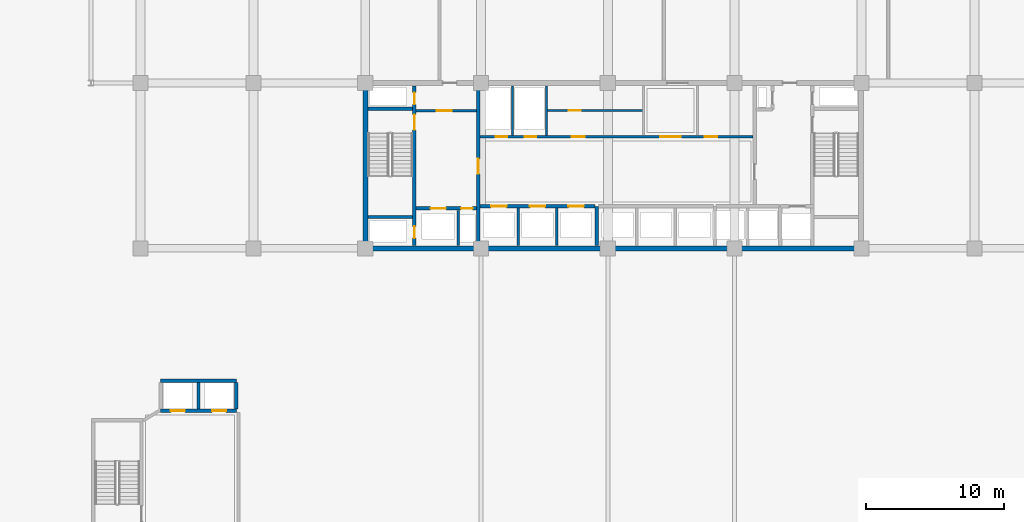
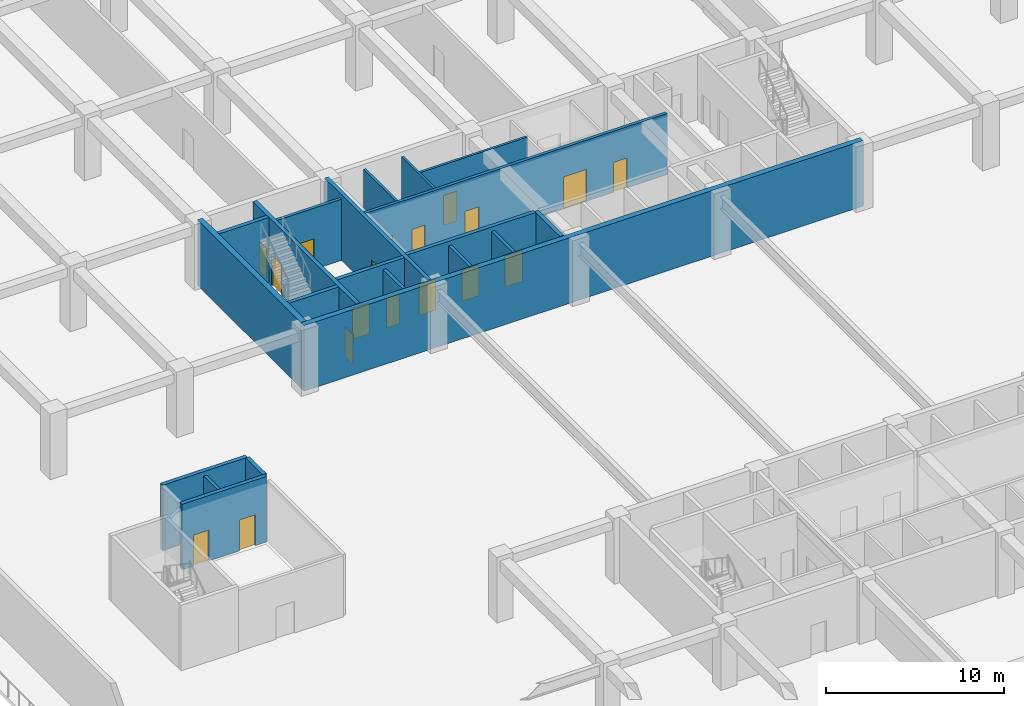
# One storey, part 24 of 43: 21 walls, 18 doors, 18 openings.
"""IFC4 building model written with IfcOpenShell, lengths in metres."""

from ifc_helpers import new_model, si_unit, direction, frame, frame_2d, origin, place, context, subcontext, project, spatial, rectangle, extrude, material, layer, layer_set, type_object, element, fill, save


model = new_model("IFC4")

# Units and contexts
model_context = context("Model", 3, precision=1e-05, world=origin(), true_north=direction((0.0, 1.0)))
body_context = subcontext(model_context, "Body", "Model", "MODEL_VIEW")
ifc_project = project(units=[si_unit("LENGTHUNIT", "METRE"), si_unit("AREAUNIT", "SQUARE_METRE"), si_unit("VOLUMEUNIT", "CUBIC_METRE"), si_unit("PLANEANGLEUNIT", "RADIAN"), si_unit("MASSUNIT", "GRAM", prefix="KILO")], contexts=[model_context])

# Site, building, storey
site_placement = place(None, origin())
site = spatial("IfcSite", under=ifc_project, at=site_placement, CompositionType="ELEMENT")
building_placement = place(site_placement, origin())
building = spatial("IfcBuilding", under=site, at=building_placement, Name="Korimba Cascade Residences", CompositionType="ELEMENT")
storey_placement = place(building_placement, frame((0.0, 0.0, 10.0)))
storey = spatial("IfcBuildingStorey", under=building, at=storey_placement, Name="L02", CompositionType="ELEMENT", Elevation=10.0)

# Walls
ifc_material_1 = material(Name="Concrete C65/80", Category="concrete")
ifc_layer_1 = layer(ifc_material_1, 0.35009765625)
ifc_layer_set_1 = layer_set([ifc_layer_1], Name="Concrete C65/80")
wall_type_1 = type_object("IfcWallType", Name="WAL-CORE-350", PredefinedType="SHEAR", material=ifc_layer_set_1)
wall_1_placement = place(storey_placement, frame((75.949951171875, 55.199951171875, 0.0), z_axis=(0.0, 0.0, 1.0), x_axis=(1.0, 0.0, 0.0)))
element("IfcWall", 1, at=wall_1_placement, inside=storey, type_object=wall_type_1, Name="L02 Core Shear Wall CW-L02-T1-S", PredefinedType="SHEAR", context=body_context, shape_type="SweptSolid", body=[
    extrude(rectangle(XDim=36.300048828125, YDim=0.35009765625, at=frame_2d((18.14990234375, 0.0))), origin(), (0.0, 0.0, 1.0), 4.5),
])
wall_2_placement = place(storey_placement, frame((76.125, 55.375, 0.0), z_axis=(0.0, 0.0, 1.0), x_axis=(0.0, 1.0, 0.0)))
element("IfcWall", 2, at=wall_2_placement, inside=storey, type_object=wall_type_1, Name="L02 Core Shear Wall CW-L02-T1-W", PredefinedType="SHEAR", context=body_context, shape_type="SweptSolid", body=[
    extrude(rectangle(XDim=11.64990234375, YDim=0.35009765625, at=frame_2d((5.824951171875, 0.0))), origin(), (0.0, 0.0, 1.0), 4.5),
])
ifc_material_2 = material(Name="Insulated Acoustic Stud Partition", Category="gypsum")
ifc_layer_2 = layer(ifc_material_2, 0.14990234375)
ifc_layer_set_2 = layer_set([ifc_layer_2], Name="Insulated Acoustic Stud Partition")
wall_type_2 = type_object("IfcWallType", Name="WAL-PART-150", PredefinedType="PARTITIONING", material=ifc_layer_set_2)
for number, where, z_axis, x_axis, name in (
    (3, (86.800048828125, 63.39990234375, 0.0), (0.0, 0.0, 1.0), (0.0, 1.0, 0.0), "L02 Partition Wall CW-L02-T1-ERDIV"),
    (4, (89.25, 63.39990234375, 0.0), (0.0, 0.0, 1.0), (0.0, 1.0, 0.0), "L02 Partition Wall CW-L02-T1-PRDIV"),
):
    element("IfcWall", number, at=place(storey_placement, frame(where, z_axis=z_axis, x_axis=x_axis)), inside=storey, type_object=wall_type_2, Name=name, PredefinedType="PARTITIONING", context=body_context, shape_type="SweptSolid", body=[
        extrude(rectangle(XDim=3.60009765625, YDim=0.14990234375, at=frame_2d((1.800048828125, 0.0))), origin(), (0.0, 0.0, 1.0), 4.199951171875),
    ])

# Wall, opening, door
wall_3_placement = place(storey_placement, frame((89.25, 65.199951171875, 0.0), z_axis=(0.0, 0.0, 1.0), x_axis=(1.0, 0.0, 0.0)))
wall_3 = element("IfcWall", 5, at=wall_3_placement, inside=storey, type_object=wall_type_2, Name="L02 Partition Wall CW-L02-T1-CA2HZ", PredefinedType="PARTITIONING", context=body_context, shape_type="SweptSolid", body=[
    extrude(rectangle(XDim=7.050048828125, YDim=0.14990234375, at=frame_2d((3.52490234375, 0.0))), origin(), (0.0, 0.0, 1.0), 4.199951171875),
])
opening_1_placement = place(wall_3_placement, frame((1.60009765625, 0.0, 0.0)))
opening_1 = element("IfcOpeningElement", 6, at=opening_1_placement, cuts=wall_3, Name="Opening D-IN2", PredefinedType="OPENING", context=body_context, shape_type="SweptSolid", body=[
    extrude(rectangle(XDim=0.8798828125, YDim=2.06005859375, at=frame_2d((0.43994140625, 1.030029296875))), frame((0.0, 0.0849609375, 0.0), z_axis=(0.0, -1.0, 0.0), x_axis=(1.0, 0.0, 0.0)), (0.0, 0.0, 1.0), 0.169921875),
])
ifc_material_3 = material(Name="Acoustic Timber Bedroom Door", Category="wood")
door_type_1 = type_object("IfcDoorType", Name="DR-INT-880", OperationType="NOTDEFINED", PredefinedType="DOOR", material=ifc_material_3)
door_1_placement = place(opening_1_placement, origin())
door_1 = element("IfcDoor", 7, at=door_1_placement, inside=storey, type_object=door_type_1, Name="L02 Pram Store Door", OperationType="SINGLE_SWING_RIGHT", OverallHeight=2.06005859375, OverallWidth=0.8798828125, PredefinedType="DOOR", context=body_context, shape_type="SweptSolid", body=[
    extrude(rectangle(XDim=0.8798828125, YDim=2.06005859375, at=frame_2d((0.43994140625, 1.030029296875))), frame((0.0, 0.02490234375, 0.0), z_axis=(0.0, -1.0, 0.0), x_axis=(1.0, 0.0, 0.0)), (0.0, 0.0, 1.0), 0.050048828125),
])
fill(opening_1, door_1)

# Wall
ifc_material_4 = material(Name="Concrete C40/50", Category="concrete")
ifc_layer_3 = layer(ifc_material_4, 0.199951171875)
ifc_layer_set_3 = layer_set([ifc_layer_3], Name="Concrete C40/50")
wall_type_3 = type_object("IfcWallType", Name="WAL-PART-200", PredefinedType="PARTITIONING", material=ifc_layer_set_3)
wall_4_placement = place(storey_placement, frame((82.85009765625, 55.39990234375, 0.0), z_axis=(0.0, 0.0, 1.0), x_axis=(0.0, 1.0, 0.0)))
element("IfcWall", 8, at=wall_4_placement, inside=storey, type_object=wall_type_3, Name="L02 Partition Wall CW-L02-T1-FFLDIV", PredefinedType="PARTITIONING", context=body_context, shape_type="SweptSolid", body=[
    extrude(rectangle(XDim=2.56005859375, YDim=0.199951171875, at=frame_2d((1.280029296875, 0.0))), origin(), (0.0, 0.0, 1.0), 4.199951171875),
])

# Wall, opening, door
wall_5_placement = place(storey_placement, frame((79.7900390625, 65.179931640625, 0.0), z_axis=(0.0, 0.0, 1.0), x_axis=(1.0, 0.0, 0.0)))
wall_5 = element("IfcWall", 9, at=wall_5_placement, inside=storey, type_object=wall_type_3, Name="L02 Partition Wall CW-L02-T1-FFLN", PredefinedType="PARTITIONING", context=body_context, shape_type="SweptSolid", body=[
    extrude(rectangle(XDim=4.389892578125, YDim=0.199951171875, at=frame_2d((2.19482421875, 0.0))), origin(), (0.0, 0.0, 1.0), 4.199951171875),
])
opening_2_placement = place(wall_5_placement, frame((1.5, 0.0, 0.0)))
opening_2 = element("IfcOpeningElement", 10, at=opening_2_placement, cuts=wall_5, Name="Opening D-FD1", PredefinedType="OPENING", context=body_context, shape_type="SweptSolid", body=[
    extrude(rectangle(XDim=1.10009765625, YDim=2.10009765625, at=frame_2d((0.550048828125, 1.050048828125))), frame((0.0, 0.10986328125, 0.0), z_axis=(0.0, -1.0, 0.0), x_axis=(1.0, 0.0, 0.0)), (0.0, 0.0, 1.0), 0.219970703125),
])
ifc_material_5 = material(Name="Fire-Rated Steel Core Door", Category="steel")
door_type_2 = type_object("IfcDoorType", Name="DR-FD120-1100", OperationType="NOTDEFINED", PredefinedType="DOOR", material=ifc_material_5)
door_2_placement = place(opening_2_placement, origin())
door_2 = element("IfcDoor", 11, at=door_2_placement, inside=storey, type_object=door_type_2, Name="L02 West Firefighting Lobby Door", OperationType="SINGLE_SWING_RIGHT", OverallHeight=2.10009765625, OverallWidth=1.10009765625, PredefinedType="DOOR", context=body_context, shape_type="SweptSolid", body=[
    extrude(rectangle(XDim=1.10009765625, YDim=2.10009765625, at=frame_2d((0.550048828125, 1.050048828125))), frame((0.0, 0.02490234375, 0.0), z_axis=(0.0, -1.0, 0.0), x_axis=(1.0, 0.0, 0.0)), (0.0, 0.0, 1.0), 0.050048828125),
])
fill(opening_2, door_2)

# Walls
for number, where, z_axis, x_axis, name in (
    (12, (87.199951171875, 55.39990234375, 0.0), (0.0, 0.0, 1.0), (0.0, 1.0, 0.0), "L02 Partition Wall CW-L02-T1-B1D1"),
    (13, (90.0, 55.39990234375, 0.0), (0.0, 0.0, 1.0), (0.0, 1.0, 0.0), "L02 Partition Wall CW-L02-T1-B1D2"),
):
    element("IfcWall", number, at=place(storey_placement, frame(where, z_axis=z_axis, x_axis=x_axis)), inside=storey, type_object=wall_type_3, Name=name, PredefinedType="PARTITIONING", context=body_context, shape_type="SweptSolid", body=[
        extrude(rectangle(XDim=2.72021484375, YDim=0.199951171875, at=frame_2d((1.360107421875, 0.0))), origin(), (0.0, 0.0, 1.0), 4.199951171875),
    ])

# Wall, openings, doors
wall_6_placement = place(storey_placement, frame((84.419921875, 63.300048828125, 0.0), z_axis=(0.0, 0.0, 1.0), x_axis=(1.0, 0.0, 0.0)))
wall_6 = element("IfcWall", 14, at=wall_6_placement, inside=storey, type_object=wall_type_3, Name="L02 Partition Wall CW-L02-T1-SRVROW", PredefinedType="PARTITIONING", context=body_context, shape_type="SweptSolid", body=[
    extrude(rectangle(XDim=19.830078125, YDim=0.199951171875, at=frame_2d((9.9150390625, 0.0))), origin(), (0.0, 0.0, 1.0), 4.199951171875),
])
opening_3_placement = place(wall_6_placement, frame((1.14990234375, 0.0, 0.0)))
opening_3 = element("IfcOpeningElement", 15, at=opening_3_placement, cuts=wall_6, Name="Opening D-RS1", PredefinedType="OPENING", context=body_context, shape_type="SweptSolid", body=[
    extrude(rectangle(XDim=0.85009765625, YDim=2.050048828125, at=frame_2d((0.425048828125, 1.02490234375))), frame((0.0, 0.10986328125, 0.0), z_axis=(0.0, -1.0, 0.0), x_axis=(1.0, 0.0, 0.0)), (0.0, 0.0, 1.0), 0.219970703125),
])
opening_4_placement = place(wall_6_placement, frame((3.25, 0.0, 0.0)))
opening_4 = element("IfcOpeningElement", 16, at=opening_4_placement, cuts=wall_6, Name="Opening D-RS1", PredefinedType="OPENING", context=body_context, shape_type="SweptSolid", body=[
    extrude(rectangle(XDim=0.85009765625, YDim=2.050048828125, at=frame_2d((0.425048828125, 1.02490234375))), frame((0.0, 0.10986328125, 0.0), z_axis=(0.0, -1.0, 0.0), x_axis=(1.0, 0.0, 0.0)), (0.0, 0.0, 1.0), 0.219970703125),
])
opening_5_placement = place(wall_6_placement, frame((13.080078125, 0.0, 0.0)))
opening_5 = element("IfcOpeningElement", 17, at=opening_5_placement, cuts=wall_6, Name="Opening D-FD8", PredefinedType="OPENING", context=body_context, shape_type="SweptSolid", body=[
    extrude(rectangle(XDim=1.5, YDim=2.199951171875, at=frame_2d((0.75, 1.10009765625))), frame((0.0, 0.10986328125, 0.0), z_axis=(0.0, -1.0, 0.0), x_axis=(1.0, 0.0, 0.0)), (0.0, 0.0, 1.0), 0.219970703125),
])
opening_6_placement = place(wall_6_placement, frame((6.679931640625, 0.0, 0.0)))
opening_6 = element("IfcOpeningElement", 18, at=opening_6_placement, cuts=wall_6, Name="Opening D-IN1", PredefinedType="OPENING", context=body_context, shape_type="SweptSolid", body=[
    extrude(rectangle(XDim=0.919921875, YDim=2.080078125, at=frame_2d((0.4599609375, 1.0400390625))), frame((0.0, 0.10986328125, 0.0), z_axis=(0.0, -1.0, 0.0), x_axis=(1.0, 0.0, 0.0)), (0.0, 0.0, 1.0), 0.219970703125),
])
opening_7_placement = place(wall_6_placement, frame((16.330078125, 0.0, 0.0)))
opening_7 = element("IfcOpeningElement", 19, at=opening_7_placement, cuts=wall_6, Name="Opening D-IN2", PredefinedType="OPENING", context=body_context, shape_type="SweptSolid", body=[
    extrude(rectangle(XDim=0.8798828125, YDim=2.06005859375, at=frame_2d((0.43994140625, 1.030029296875))), frame((0.0, 0.10986328125, 0.0), z_axis=(0.0, -1.0, 0.0), x_axis=(1.0, 0.0, 0.0)), (0.0, 0.0, 1.0), 0.219970703125),
])
ifc_material_6 = material(Name="Fire-Rated Steel Riser Access Door", Category="steel")
door_type_3 = type_object("IfcDoorType", Name="DR-FD60-850", OperationType="NOTDEFINED", PredefinedType="DOOR", material=ifc_material_6)
door_3_placement = place(opening_3_placement, origin())
door_3 = element("IfcDoor", 20, at=door_3_placement, inside=storey, type_object=door_type_3, Name="L02 Electrical Riser Door", OperationType="SINGLE_SWING_LEFT", OverallHeight=2.050048828125, OverallWidth=0.85009765625, PredefinedType="DOOR", context=body_context, shape_type="SweptSolid", body=[
    extrude(rectangle(XDim=0.85009765625, YDim=2.050048828125, at=frame_2d((0.425048828125, 1.02490234375))), frame((0.0, 0.02490234375, 0.0), z_axis=(0.0, -1.0, 0.0), x_axis=(1.0, 0.0, 0.0)), (0.0, 0.0, 1.0), 0.050048828125),
])
fill(opening_3, door_3)
door_4_placement = place(opening_4_placement, origin())
door_4 = element("IfcDoor", 21, at=door_4_placement, inside=storey, type_object=door_type_3, Name="L02 Plumbing Riser Door", OperationType="SINGLE_SWING_RIGHT", OverallHeight=2.050048828125, OverallWidth=0.85009765625, PredefinedType="DOOR", context=body_context, shape_type="SweptSolid", body=[
    extrude(rectangle(XDim=0.85009765625, YDim=2.050048828125, at=frame_2d((0.425048828125, 1.02490234375))), frame((0.0, 0.02490234375, 0.0), z_axis=(0.0, -1.0, 0.0), x_axis=(1.0, 0.0, 0.0)), (0.0, 0.0, 1.0), 0.050048828125),
])
fill(opening_4, door_4)
ifc_material_7 = material(Name="Fire-Rated Glazed Lift Lobby Double Door", Category="glass")
door_type_4 = type_object("IfcDoorType", Name="DR-FD90-1500", OperationType="NOTDEFINED", PredefinedType="DOOR", material=ifc_material_7)
door_5_placement = place(opening_5_placement, origin())
door_5 = element("IfcDoor", 22, at=door_5_placement, inside=storey, type_object=door_type_4, Name="L02 Lift Lobby Foyer Archway Door", OperationType="DOUBLE_DOOR_SINGLE_SWING", OverallHeight=2.199951171875, OverallWidth=1.5, PredefinedType="DOOR", context=body_context, shape_type="SweptSolid", body=[
    extrude(rectangle(XDim=1.5, YDim=2.199951171875, at=frame_2d((0.75, 1.10009765625))), frame((0.0, 0.02490234375, 0.0), z_axis=(0.0, -1.0, 0.0), x_axis=(1.0, 0.0, 0.0)), (0.0, 0.0, 1.0), 0.050048828125),
])
fill(opening_5, door_5)
door_6_placement = place(opening_7_placement, origin())
door_6 = element("IfcDoor", 23, at=door_6_placement, inside=storey, type_object=door_type_1, Name="L02 Staff WC Door", OperationType="SINGLE_SWING_RIGHT", OverallHeight=2.06005859375, OverallWidth=0.8798828125, PredefinedType="DOOR", context=body_context, shape_type="SweptSolid", body=[
    extrude(rectangle(XDim=0.8798828125, YDim=2.06005859375, at=frame_2d((0.43994140625, 1.030029296875))), frame((0.0, 0.02490234375, 0.0), z_axis=(0.0, -1.0, 0.0), x_axis=(1.0, 0.0, 0.0)), (0.0, 0.0, 1.0), 0.050048828125),
])
fill(opening_7, door_6)
ifc_material_8 = material(Name="Acoustic Timber Living Door", Category="wood")
door_type_5 = type_object("IfcDoorType", Name="DR-INT-920", OperationType="NOTDEFINED", PredefinedType="DOOR", material=ifc_material_8)
door_7_placement = place(opening_6_placement, origin())
door_7 = element("IfcDoor", 24, at=door_7_placement, inside=storey, type_object=door_type_5, Name="L02 Locker Room Door", OperationType="SINGLE_SWING_LEFT", OverallHeight=2.080078125, OverallWidth=0.919921875, PredefinedType="DOOR", context=body_context, shape_type="SweptSolid", body=[
    extrude(rectangle(XDim=0.919921875, YDim=2.080078125, at=frame_2d((0.4599609375, 1.0400390625))), frame((0.0, 0.02490234375, 0.0), z_axis=(0.0, -1.0, 0.0), x_axis=(1.0, 0.0, 0.0)), (0.0, 0.0, 1.0), 0.050048828125),
])
fill(opening_6, door_7)

# Wall
wall_7_placement = place(storey_placement, frame((64.0, 43.550048828125, 0.0), z_axis=(0.0, 0.0, 1.0), x_axis=(0.0, 1.0, 0.0)))
element("IfcWall", 25, at=wall_7_placement, inside=storey, type_object=wall_type_3, Name="L02 Partition Wall CW-L02-SHPM", PredefinedType="PARTITIONING", context=body_context, shape_type="SweptSolid", body=[
    extrude(rectangle(XDim=1.89990234375, YDim=0.199951171875, at=frame_2d((0.949951171875, 0.0))), origin(), (0.0, 0.0, 1.0), 4.199951171875),
])

# Wall, openings, doors
ifc_material_9 = material(Name="Concrete C50/60", Category="concrete")
ifc_layer_4 = layer(ifc_material_9, 0.25)
ifc_layer_set_4 = layer_set([ifc_layer_4], Name="Concrete C50/60")
wall_type_4 = type_object("IfcWallType", Name="WAL-SHAFT-250", PredefinedType="SHEAR", material=ifc_layer_set_4)
wall_8_placement = place(storey_placement, frame((79.6650390625, 55.39990234375, 0.0), z_axis=(0.0, 0.0, 1.0), x_axis=(0.0, 1.0, 0.0)))
wall_8 = element("IfcWall", 26, at=wall_8_placement, inside=storey, type_object=wall_type_4, Name="L02 Core Shear Wall CW-L02-T1-STW1E", PredefinedType="SHEAR", context=body_context, shape_type="SweptSolid", body=[
    extrude(rectangle(XDim=11.60009765625, YDim=0.25, at=frame_2d((5.800048828125, 0.0))), origin(), (0.0, 0.0, 1.0), 4.5),
])
opening_8_placement = place(wall_8_placement, frame((0.550048828125, 0.0, 0.0)))
opening_8 = element("IfcOpeningElement", 27, at=opening_8_placement, cuts=wall_8, Name="Opening D-RS1", PredefinedType="OPENING", context=body_context, shape_type="SweptSolid", body=[
    extrude(rectangle(XDim=0.85009765625, YDim=2.050048828125, at=frame_2d((0.425048828125, 1.02490234375))), frame((0.0, 0.135009765625, 0.0), z_axis=(0.0, -1.0, 0.0), x_axis=(1.0, 0.0, 0.0)), (0.0, 0.0, 1.0), 0.27001953125),
])
opening_9_placement = place(wall_8_placement, frame((8.39990234375, 0.0, 0.0)))
opening_9 = element("IfcOpeningElement", 28, at=opening_9_placement, cuts=wall_8, Name="Opening D-FD1", PredefinedType="OPENING", context=body_context, shape_type="SweptSolid", body=[
    extrude(rectangle(XDim=1.10009765625, YDim=2.10009765625, at=frame_2d((0.550048828125, 1.050048828125))), frame((0.0, 0.135009765625, 0.0), z_axis=(0.0, -1.0, 0.0), x_axis=(1.0, 0.0, 0.0)), (0.0, 0.0, 1.0), 0.27001953125),
])
opening_10_placement = place(wall_8_placement, frame((10.25, 0.0, 0.0)))
opening_10 = element("IfcOpeningElement", 29, at=opening_10_placement, cuts=wall_8, Name="Opening D-RS1", PredefinedType="OPENING", context=body_context, shape_type="SweptSolid", body=[
    extrude(rectangle(XDim=0.85009765625, YDim=2.050048828125, at=frame_2d((0.425048828125, 1.02490234375))), frame((0.0, 0.135009765625, 0.0), z_axis=(0.0, -1.0, 0.0), x_axis=(1.0, 0.0, 0.0)), (0.0, 0.0, 1.0), 0.27001953125),
])
door_8_placement = place(opening_9_placement, origin())
door_8 = element("IfcDoor", 30, at=door_8_placement, inside=storey, type_object=door_type_2, Name="L02 Fire Stair ST-W1 Door", OperationType="SINGLE_SWING_LEFT", OverallHeight=2.10009765625, OverallWidth=1.10009765625, PredefinedType="DOOR", context=body_context, shape_type="SweptSolid", body=[
    extrude(rectangle(XDim=1.10009765625, YDim=2.10009765625, at=frame_2d((0.550048828125, 1.050048828125))), frame((0.0, 0.02490234375, 0.0), z_axis=(0.0, -1.0, 0.0), x_axis=(1.0, 0.0, 0.0)), (0.0, 0.0, 1.0), 0.050048828125),
])
fill(opening_9, door_8)
door_9_placement = place(opening_8_placement, origin())
door_9 = element("IfcDoor", 31, at=door_9_placement, inside=storey, type_object=door_type_3, Name="L02 Smoke Riser Access Door", OperationType="SINGLE_SWING_RIGHT", OverallHeight=2.050048828125, OverallWidth=0.85009765625, PredefinedType="DOOR", context=body_context, shape_type="SweptSolid", body=[
    extrude(rectangle(XDim=0.85009765625, YDim=2.050048828125, at=frame_2d((0.425048828125, 1.02490234375))), frame((0.0, 0.02490234375, 0.0), z_axis=(0.0, -1.0, 0.0), x_axis=(1.0, 0.0, 0.0)), (0.0, 0.0, 1.0), 0.050048828125),
])
fill(opening_8, door_9)
door_10_placement = place(opening_10_placement, origin())
door_10 = element("IfcDoor", 32, at=door_10_placement, inside=storey, type_object=door_type_3, Name="L02 Hydrant Riser Access Door", OperationType="SINGLE_SWING_RIGHT", OverallHeight=2.050048828125, OverallWidth=0.85009765625, PredefinedType="DOOR", context=body_context, shape_type="SweptSolid", body=[
    extrude(rectangle(XDim=0.85009765625, YDim=2.050048828125, at=frame_2d((0.425048828125, 1.02490234375))), frame((0.0, 0.02490234375, 0.0), z_axis=(0.0, -1.0, 0.0), x_axis=(1.0, 0.0, 0.0)), (0.0, 0.0, 1.0), 0.050048828125),
])
fill(opening_10, door_10)

# Walls
for number, where, z_axis, x_axis, name in (
    (33, (76.300048828125, 57.47509765625, 0.0), (0.0, 0.0, 1.0), (1.0, 0.0, 0.0), "L02 Core Shear Wall CW-L02-T1-STW1S"),
    (34, (76.300048828125, 65.324951171875, 0.0), (0.0, 0.0, 1.0), (1.0, 0.0, 0.0), "L02 Core Shear Wall CW-L02-T1-STW1N"),
):
    element("IfcWall", number, at=place(storey_placement, frame(where, z_axis=z_axis, x_axis=x_axis)), inside=storey, type_object=wall_type_4, Name=name, PredefinedType="SHEAR", context=body_context, shape_type="SweptSolid", body=[
        extrude(rectangle(XDim=3.239990234375, YDim=0.25, at=frame_2d((1.6201171875, 0.0))), origin(), (0.0, 0.0, 1.0), 4.5),
    ])

# Wall, openings, doors
wall_9_placement = place(storey_placement, frame((79.7900390625, 58.10009765625, 0.0), z_axis=(0.0, 0.0, 1.0), x_axis=(1.0, 0.0, 0.0)))
wall_9 = element("IfcWall", 35, at=wall_9_placement, inside=storey, type_object=wall_type_4, Name="L02 Core Shear Wall CW-L02-T1-FFLS", PredefinedType="SHEAR", context=body_context, shape_type="SweptSolid", body=[
    extrude(rectangle(XDim=4.389892578125, YDim=0.25, at=frame_2d((2.19482421875, 0.0))), origin(), (0.0, 0.0, 1.0), 4.5),
])
opening_11_placement = place(wall_9_placement, frame((1.050048828125, 0.0, 0.0)))
opening_11 = element("IfcOpeningElement", 36, at=opening_11_placement, cuts=wall_9, Name="Opening LD-01", PredefinedType="OPENING", context=body_context, shape_type="SweptSolid", body=[
    extrude(rectangle(XDim=1.1201171875, YDim=2.1201171875, at=frame_2d((0.56005859375, 1.06005859375))), frame((0.0, 0.135009765625, 0.0), z_axis=(0.0, -1.0, 0.0), x_axis=(1.0, 0.0, 0.0)), (0.0, 0.0, 1.0), 0.27001953125),
])
opening_12_placement = place(wall_9_placement, frame((3.260009765625, 0.0, 0.0)))
opening_12 = element("IfcOpeningElement", 37, at=opening_12_placement, cuts=wall_9, Name="Opening D-RS1", PredefinedType="OPENING", context=body_context, shape_type="SweptSolid", body=[
    extrude(rectangle(XDim=0.85009765625, YDim=2.050048828125, at=frame_2d((0.425048828125, 1.02490234375))), frame((0.0, 0.135009765625, 0.0), z_axis=(0.0, -1.0, 0.0), x_axis=(1.0, 0.0, 0.0)), (0.0, 0.0, 1.0), 0.27001953125),
])
door_11_placement = place(opening_12_placement, origin())
door_11 = element("IfcDoor", 38, at=door_11_placement, inside=storey, type_object=door_type_3, Name="L02 Pressurisation Riser Door", OperationType="SINGLE_SWING_LEFT", OverallHeight=2.050048828125, OverallWidth=0.85009765625, PredefinedType="DOOR", context=body_context, shape_type="SweptSolid", body=[
    extrude(rectangle(XDim=0.85009765625, YDim=2.050048828125, at=frame_2d((0.425048828125, 1.02490234375))), frame((0.0, 0.02490234375, 0.0), z_axis=(0.0, -1.0, 0.0), x_axis=(1.0, 0.0, 0.0)), (0.0, 0.0, 1.0), 0.050048828125),
])
fill(opening_12, door_11)
ifc_material_10 = material(Name="Stainless Steel Lift Landing Sliding Door", Category="steel")
door_type_6 = type_object("IfcDoorType", Name="DR-LIFT-1100", OperationType="NOTDEFINED", PredefinedType="DOOR", material=ifc_material_10)
door_12_placement = place(opening_11_placement, origin())
door_12 = element("IfcDoor", 39, at=door_12_placement, inside=storey, type_object=door_type_6, Name="L02 Firefighting Lift Landing Door FFL-W1", OperationType="SLIDING_TO_LEFT", OverallHeight=2.1201171875, OverallWidth=1.1201171875, PredefinedType="DOOR", context=body_context, shape_type="SweptSolid", body=[
    extrude(rectangle(XDim=1.1201171875, YDim=2.1201171875, at=frame_2d((0.56005859375, 1.06005859375))), frame((0.0, 0.02490234375, 0.0), z_axis=(0.0, -1.0, 0.0), x_axis=(1.0, 0.0, 0.0)), (0.0, 0.0, 1.0), 0.050048828125),
])
fill(opening_11, door_12)

# Wall, opening, door
wall_10_placement = place(storey_placement, frame((84.300048828125, 55.39990234375, 0.0), z_axis=(0.0, 0.0, 1.0), x_axis=(0.0, 1.0, 0.0)))
wall_10 = element("IfcWall", 40, at=wall_10_placement, inside=storey, type_object=wall_type_4, Name="L02 Core Shear Wall CW-L02-T1-FFLE", PredefinedType="SHEAR", context=body_context, shape_type="SweptSolid", body=[
    extrude(rectangle(XDim=11.60009765625, YDim=0.25, at=frame_2d((5.800048828125, 0.0))), origin(), (0.0, 0.0, 1.0), 4.5),
])
opening_13_placement = place(wall_10_placement, frame((5.199951171875, 0.0, 0.0)))
opening_13 = element("IfcOpeningElement", 41, at=opening_13_placement, cuts=wall_10, Name="Opening D-FD1", PredefinedType="OPENING", context=body_context, shape_type="SweptSolid", body=[
    extrude(rectangle(XDim=1.10009765625, YDim=2.10009765625, at=frame_2d((0.550048828125, 1.050048828125))), frame((0.0, 0.135009765625, 0.0), z_axis=(0.0, -1.0, 0.0), x_axis=(1.0, 0.0, 0.0)), (0.0, 0.0, 1.0), 0.27001953125),
])
door_13_placement = place(opening_13_placement, origin())
door_13 = element("IfcDoor", 42, at=door_13_placement, inside=storey, type_object=door_type_2, Name="L02 Firefighting Lobby to Lift Lobby Door", OperationType="SINGLE_SWING_LEFT", OverallHeight=2.10009765625, OverallWidth=1.10009765625, PredefinedType="DOOR", context=body_context, shape_type="SweptSolid", body=[
    extrude(rectangle(XDim=1.10009765625, YDim=2.10009765625, at=frame_2d((0.550048828125, 1.050048828125))), frame((0.0, 0.02490234375, 0.0), z_axis=(0.0, -1.0, 0.0), x_axis=(1.0, 0.0, 0.0)), (0.0, 0.0, 1.0), 0.050048828125),
])
fill(opening_13, door_13)

# Wall, openings, doors
wall_11_placement = place(storey_placement, frame((84.419921875, 58.25, 0.0), z_axis=(0.0, 0.0, 1.0), x_axis=(1.0, 0.0, 0.0)))
wall_11 = element("IfcWall", 43, at=wall_11_placement, inside=storey, type_object=wall_type_4, Name="L02 Core Shear Wall CW-L02-T1-B1N", PredefinedType="SHEAR", context=body_context, shape_type="SweptSolid", body=[
    extrude(rectangle(XDim=8.360107421875, YDim=0.25, at=frame_2d((4.18017578125, 0.0))), origin(), (0.0, 0.0, 1.0), 4.5),
])
opening_14_placement = place(wall_11_placement, frame((0.820068359375, 0.0, 0.0)))
opening_14 = element("IfcOpeningElement", 44, at=opening_14_placement, cuts=wall_11, Name="Opening LD-01", PredefinedType="OPENING", context=body_context, shape_type="SweptSolid", body=[
    extrude(rectangle(XDim=1.1201171875, YDim=2.1201171875, at=frame_2d((0.56005859375, 1.06005859375))), frame((0.0, 0.135009765625, 0.0), z_axis=(0.0, -1.0, 0.0), x_axis=(1.0, 0.0, 0.0)), (0.0, 0.0, 1.0), 0.27001953125),
])
opening_15_placement = place(wall_11_placement, frame((3.6201171875, 0.0, 0.0)))
opening_15 = element("IfcOpeningElement", 45, at=opening_15_placement, cuts=wall_11, Name="Opening LD-01", PredefinedType="OPENING", context=body_context, shape_type="SweptSolid", body=[
    extrude(rectangle(XDim=1.1201171875, YDim=2.1201171875, at=frame_2d((0.56005859375, 1.06005859375))), frame((0.0, 0.135009765625, 0.0), z_axis=(0.0, -1.0, 0.0), x_axis=(1.0, 0.0, 0.0)), (0.0, 0.0, 1.0), 0.27001953125),
])
opening_16_placement = place(wall_11_placement, frame((6.419921875, 0.0, 0.0)))
opening_16 = element("IfcOpeningElement", 46, at=opening_16_placement, cuts=wall_11, Name="Opening LD-01", PredefinedType="OPENING", context=body_context, shape_type="SweptSolid", body=[
    extrude(rectangle(XDim=1.1201171875, YDim=2.1201171875, at=frame_2d((0.56005859375, 1.06005859375))), frame((0.0, 0.135009765625, 0.0), z_axis=(0.0, -1.0, 0.0), x_axis=(1.0, 0.0, 0.0)), (0.0, 0.0, 1.0), 0.27001953125),
])
door_14_placement = place(opening_14_placement, origin())
door_14 = element("IfcDoor", 47, at=door_14_placement, inside=storey, type_object=door_type_6, Name="L02 Lift Landing Door PL-W1", OperationType="SLIDING_TO_LEFT", OverallHeight=2.1201171875, OverallWidth=1.1201171875, PredefinedType="DOOR", context=body_context, shape_type="SweptSolid", body=[
    extrude(rectangle(XDim=1.1201171875, YDim=2.1201171875, at=frame_2d((0.56005859375, 1.06005859375))), frame((0.0, 0.02490234375, 0.0), z_axis=(0.0, -1.0, 0.0), x_axis=(1.0, 0.0, 0.0)), (0.0, 0.0, 1.0), 0.050048828125),
])
fill(opening_14, door_14)
door_15_placement = place(opening_15_placement, origin())
door_15 = element("IfcDoor", 48, at=door_15_placement, inside=storey, type_object=door_type_6, Name="L02 Lift Landing Door PL-W2", OperationType="SLIDING_TO_LEFT", OverallHeight=2.1201171875, OverallWidth=1.1201171875, PredefinedType="DOOR", context=body_context, shape_type="SweptSolid", body=[
    extrude(rectangle(XDim=1.1201171875, YDim=2.1201171875, at=frame_2d((0.56005859375, 1.06005859375))), frame((0.0, 0.02490234375, 0.0), z_axis=(0.0, -1.0, 0.0), x_axis=(1.0, 0.0, 0.0)), (0.0, 0.0, 1.0), 0.050048828125),
])
fill(opening_15, door_15)
door_16_placement = place(opening_16_placement, origin())
door_16 = element("IfcDoor", 49, at=door_16_placement, inside=storey, type_object=door_type_6, Name="L02 Lift Landing Door PL-W3", OperationType="SLIDING_TO_LEFT", OverallHeight=2.1201171875, OverallWidth=1.1201171875, PredefinedType="DOOR", context=body_context, shape_type="SweptSolid", body=[
    extrude(rectangle(XDim=1.1201171875, YDim=2.1201171875, at=frame_2d((0.56005859375, 1.06005859375))), frame((0.0, 0.02490234375, 0.0), z_axis=(0.0, -1.0, 0.0), x_axis=(1.0, 0.0, 0.0)), (0.0, 0.0, 1.0), 0.050048828125),
])
fill(opening_16, door_16)

# Wall
wall_12_placement = place(storey_placement, frame((92.89990234375, 55.39990234375, 0.0), z_axis=(0.0, 0.0, 1.0), x_axis=(0.0, 1.0, 0.0)))
element("IfcWall", 50, at=wall_12_placement, inside=storey, type_object=wall_type_4, Name="L02 Core Shear Wall CW-L02-T1-B12DIV", PredefinedType="SHEAR", context=body_context, shape_type="SweptSolid", body=[
    extrude(rectangle(XDim=2.85009765625, YDim=0.25, at=frame_2d((1.425048828125, 0.0))), origin(), (0.0, 0.0, 1.0), 4.5),
])

# Wall, openings, doors
wall_13_placement = place(storey_placement, frame((61.25, 43.419921875, 0.0), z_axis=(0.0, 0.0, 1.0), x_axis=(1.0, 0.0, 0.0)))
wall_13 = element("IfcWall", 51, at=wall_13_placement, inside=storey, type_object=wall_type_4, Name="L02 Core Shear Wall CW-L02-SHPS", PredefinedType="SHEAR", context=body_context, shape_type="SweptSolid", body=[
    extrude(rectangle(XDim=5.5, YDim=0.25, at=frame_2d((2.75, 0.0))), origin(), (0.0, 0.0, 1.0), 4.5),
])
opening_17_placement = place(wall_13_placement, frame((0.739990234375, 0.0, 0.0)))
opening_17 = element("IfcOpeningElement", 52, at=opening_17_placement, cuts=wall_13, Name="Opening LD-02", PredefinedType="OPENING", context=body_context, shape_type="SweptSolid", body=[
    extrude(rectangle(XDim=1.02001953125, YDim=2.1201171875, at=frame_2d((0.510009765625, 1.06005859375))), frame((0.0, 0.135009765625, 0.0), z_axis=(0.0, -1.0, 0.0), x_axis=(1.0, 0.0, 0.0)), (0.0, 0.0, 1.0), 0.27001953125),
])
opening_18_placement = place(wall_13_placement, frame((3.739990234375, 0.0, 0.0)))
opening_18 = element("IfcOpeningElement", 53, at=opening_18_placement, cuts=wall_13, Name="Opening LD-02", PredefinedType="OPENING", context=body_context, shape_type="SweptSolid", body=[
    extrude(rectangle(XDim=1.02001953125, YDim=2.1201171875, at=frame_2d((0.510009765625, 1.06005859375))), frame((0.0, 0.135009765625, 0.0), z_axis=(0.0, -1.0, 0.0), x_axis=(1.0, 0.0, 0.0)), (0.0, 0.0, 1.0), 0.27001953125),
])
ifc_material_11 = material(Name="Stainless Steel Shuttle Lift Landing Door", Category="steel")
door_type_7 = type_object("IfcDoorType", Name="DR-LIFT-1000", OperationType="NOTDEFINED", PredefinedType="DOOR", material=ifc_material_11)
door_17_placement = place(opening_17_placement, origin())
door_17 = element("IfcDoor", 54, at=door_17_placement, inside=storey, type_object=door_type_7, Name="L02 Shuttle Lift Landing Door PL-P1", OperationType="SLIDING_TO_LEFT", OverallHeight=2.1201171875, OverallWidth=1.02001953125, PredefinedType="DOOR", context=body_context, shape_type="SweptSolid", body=[
    extrude(rectangle(XDim=1.02001953125, YDim=2.1201171875, at=frame_2d((0.510009765625, 1.06005859375))), frame((0.0, 0.02490234375, 0.0), z_axis=(0.0, -1.0, 0.0), x_axis=(1.0, 0.0, 0.0)), (0.0, 0.0, 1.0), 0.050048828125),
])
fill(opening_17, door_17)
door_18_placement = place(opening_18_placement, origin())
door_18 = element("IfcDoor", 55, at=door_18_placement, inside=storey, type_object=door_type_7, Name="L02 Shuttle Lift Landing Door PL-P2", OperationType="SLIDING_TO_RIGHT", OverallHeight=2.1201171875, OverallWidth=1.02001953125, PredefinedType="DOOR", context=body_context, shape_type="SweptSolid", body=[
    extrude(rectangle(XDim=1.02001953125, YDim=2.1201171875, at=frame_2d((0.510009765625, 1.06005859375))), frame((0.0, 0.02490234375, 0.0), z_axis=(0.0, -1.0, 0.0), x_axis=(1.0, 0.0, 0.0)), (0.0, 0.0, 1.0), 0.050048828125),
])
fill(opening_18, door_18)

# Walls
wall_14_placement = place(storey_placement, frame((61.25, 45.580078125, 0.0), z_axis=(0.0, 0.0, 1.0), x_axis=(1.0, 0.0, 0.0)))
element("IfcWall", 56, at=wall_14_placement, inside=storey, type_object=wall_type_4, Name="L02 Core Shear Wall CW-L02-SHPN", PredefinedType="SHEAR", context=body_context, shape_type="SweptSolid", body=[
    extrude(rectangle(XDim=5.5, YDim=0.25, at=frame_2d((2.75, 0.0))), origin(), (0.0, 0.0, 1.0), 4.5),
])
wall_15_placement = place(storey_placement, frame((66.75, 43.550048828125, 0.0), z_axis=(0.0, 0.0, 1.0), x_axis=(0.0, 1.0, 0.0)))
element("IfcWall", 57, at=wall_15_placement, inside=storey, type_object=wall_type_4, Name="L02 Core Shear Wall CW-L02-SHPE", PredefinedType="SHEAR", context=body_context, shape_type="SweptSolid", body=[
    extrude(rectangle(XDim=1.89990234375, YDim=0.25, at=frame_2d((0.949951171875, 0.0))), origin(), (0.0, 0.0, 1.0), 4.5),
])

save(model, "model.ifc")
